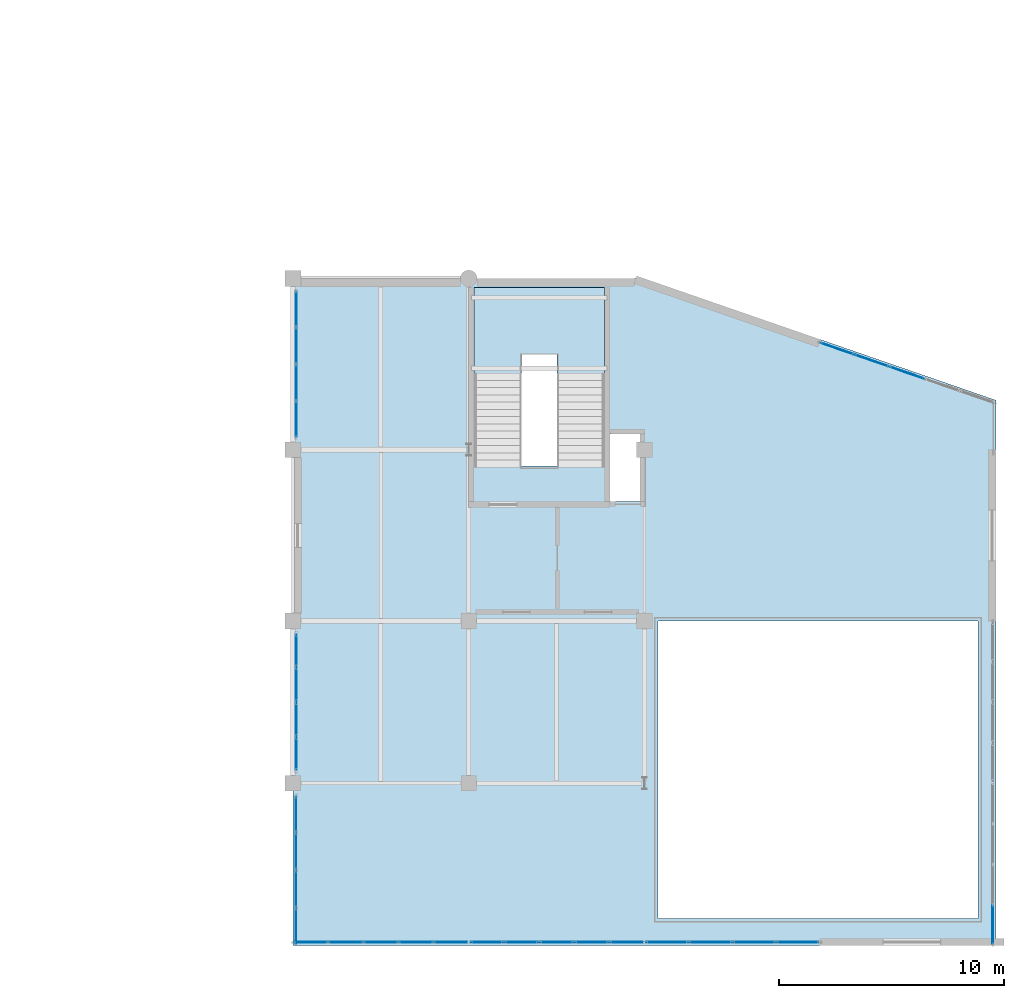
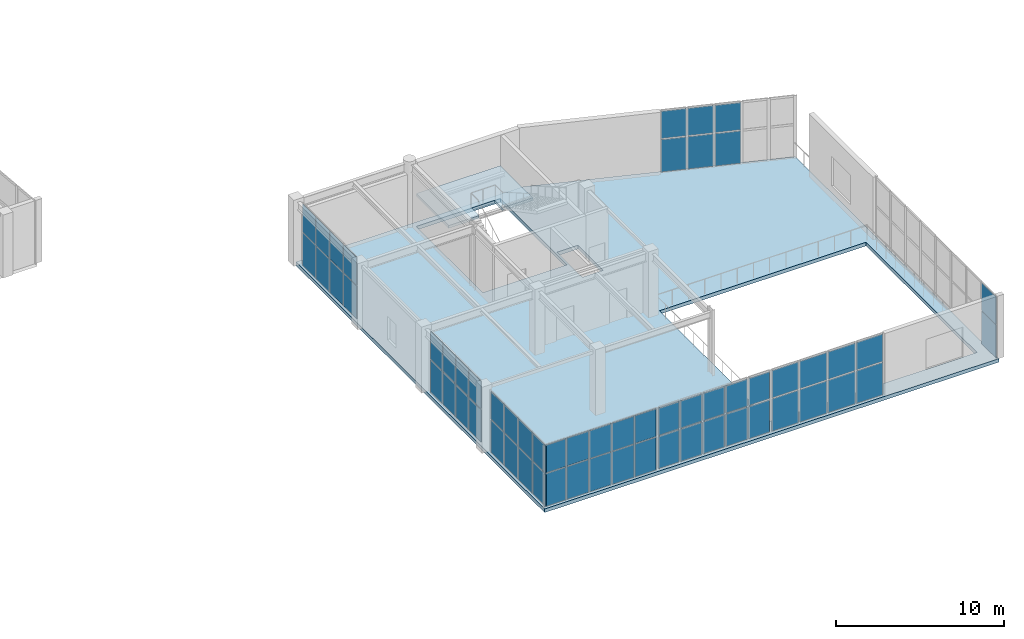
# One storey, part 54 of 72: 60 plates, 2 slabs, 9 elements without a shape of their own.
"""IFC4 building model written with IfcOpenShell, lengths in metres."""

from ifc_helpers import new_model, si_unit, direction, frame, origin, origin_2d, place, context, subcontext, project, spatial, polyline, rectangle, outline, extrude, material, layer, layer_set, type_object, element, aggregate, save


model = new_model("IFC4")

# Units and contexts
model_context = context("Model", 3, precision=1e-05, world=origin(), true_north=direction((0.0, 1.0)))
body_context = subcontext(model_context, "Body", "Model", "MODEL_VIEW")
ifc_project = project(units=[si_unit("LENGTHUNIT", "METRE"), si_unit("AREAUNIT", "SQUARE_METRE"), si_unit("VOLUMEUNIT", "CUBIC_METRE"), si_unit("PLANEANGLEUNIT", "RADIAN"), si_unit("MASSUNIT", "GRAM", prefix="KILO")], contexts=[model_context])

# Site, building, storey
site_placement = place(None, origin())
site = spatial("IfcSite", under=ifc_project, at=site_placement, CompositionType="ELEMENT")
building_placement = place(site_placement, origin())
building = spatial("IfcBuilding", under=site, at=building_placement, Name="Xicomal Pleat Aquarium", CompositionType="ELEMENT")
storey_placement = place(building_placement, frame((0.0, 0.0, 10.5)))
storey = spatial("IfcBuildingStorey", under=building, at=storey_placement, Name="L03", CompositionType="ELEMENT", Elevation=10.5)

# Curtain wall, plates
ifc_material_1 = material(Name="Bronze anodized aluminium 6063-T6", Category="aluminium")
ifc_layer_1 = layer(ifc_material_1, 0.159912109375)
ifc_layer_set_1 = layer_set([ifc_layer_1], Name="Bronze anodized aluminium 6063-T6")
curtain_wall_type_1 = type_object("IfcCurtainWallType", Name="CW-SYS-03", PredefinedType="NOTDEFINED", material=ifc_layer_set_1)
curtain_wall_1_placement = place(storey_placement, origin())
curtain_wall_1 = element("IfcCurtainWall", 1, at=curtain_wall_1_placement, inside=storey, type_object=curtain_wall_type_1, Name="L03 unitised curtain wall CW-L03-144", PredefinedType="NOTDEFINED")
ifc_material_2 = material(Name="Insulated low-E laminated glass", Category="glass")
ifc_layer_2 = layer(ifc_material_2, 0.028076171875)
ifc_layer_set_2 = layer_set([ifc_layer_2], Name="Insulated low-E laminated glass")
plate_type_1 = type_object("IfcPlateType", Name="CWP-GLZ-28", PredefinedType="CURTAIN_PANEL", material=ifc_layer_set_2)
plate_1_placement = place(storey_placement, frame((164.860107421875, 1.71630859375, 0.06494140625), z_axis=(0.0, 0.0, 1.0), x_axis=(0.0, -1.0, 0.0)))
plate_1 = element("IfcPlate", 2, at=plate_1_placement, type_object=plate_type_1, Name="CW-03 panel 4.1", PredefinedType="CURTAIN_PANEL", context=body_context, shape_type="SweptSolid", body=[
    extrude(rectangle(XDim=1.702392578125, YDim=0.028076171875, at=origin_2d()), origin(), (0.0, 0.0, 1.0), 2.364501953125),
])
plate_2_placement = place(storey_placement, frame((164.860107421875, 1.71630859375, 2.494384765625), z_axis=(0.0, 0.0, 1.0), x_axis=(0.0, -1.0, 0.0)))
plate_2 = element("IfcPlate", 3, at=plate_2_placement, type_object=plate_type_1, Name="CW-03 panel 4.2", PredefinedType="CURTAIN_PANEL", context=body_context, shape_type="SweptSolid", body=[
    extrude(rectangle(XDim=1.702392578125, YDim=0.028076171875, at=origin_2d()), origin(), (0.0, 0.0, 1.0), 2.00048828125),
])
aggregate(curtain_wall_1, [plate_1, plate_2])

ifc_material_3 = material(Name="Bronze anodized aluminium 6063-T6", Category="aluminium")
ifc_layer_3 = layer(ifc_material_3, 0.159912109375)
ifc_layer_set_3 = layer_set([ifc_layer_3], Name="Bronze anodized aluminium 6063-T6")
curtain_wall_type_2 = type_object("IfcCurtainWallType", Name="CW-SYS-08", PredefinedType="NOTDEFINED", material=ifc_layer_set_3)
curtain_wall_2_placement = place(storey_placement, origin())
curtain_wall_2 = element("IfcCurtainWall", 4, at=curtain_wall_2_placement, inside=storey, type_object=curtain_wall_type_2, Name="L03 unitised curtain wall CW-L03-148", PredefinedType="NOTDEFINED")
plate_3_placement = place(storey_placement, frame((133.93994140625, 1.65380859375, 0.074951171875), z_axis=(0.0, 0.0, 1.0), x_axis=(0.0, 1.0, 0.0)))
plate_3 = element("IfcPlate", 5, at=plate_3_placement, type_object=plate_type_1, Name="CW-08 panel 1.1", PredefinedType="CURTAIN_PANEL", context=body_context, shape_type="SweptSolid", body=[
    extrude(rectangle(XDim=1.5576171875, YDim=0.028076171875, at=origin_2d()), origin(), (0.0, 0.0, 1.0), 2.349609375),
])
plate_4_placement = place(storey_placement, frame((133.93994140625, 1.65380859375, 2.49951171875), z_axis=(0.0, 0.0, 1.0), x_axis=(0.0, 1.0, 0.0)))
plate_4 = element("IfcPlate", 6, at=plate_4_placement, type_object=plate_type_1, Name="CW-08 panel 1.2", PredefinedType="CURTAIN_PANEL", context=body_context, shape_type="SweptSolid", body=[
    extrude(rectangle(XDim=1.5576171875, YDim=0.028076171875, at=origin_2d()), origin(), (0.0, 0.0, 1.0), 1.985595703125),
])
plate_5_placement = place(storey_placement, frame((133.93994140625, 3.304931640625, 0.074951171875), z_axis=(0.0, 0.0, 1.0), x_axis=(0.0, 1.0, 0.0)))
plate_5 = element("IfcPlate", 7, at=plate_5_placement, type_object=plate_type_1, Name="CW-08 panel 2.1", PredefinedType="CURTAIN_PANEL", context=body_context, shape_type="SweptSolid", body=[
    extrude(rectangle(XDim=1.594970703125, YDim=0.028076171875, at=origin_2d()), origin(), (0.0, 0.0, 1.0), 2.349609375),
])
plate_6_placement = place(storey_placement, frame((133.93994140625, 3.304931640625, 2.49951171875), z_axis=(0.0, 0.0, 1.0), x_axis=(0.0, 1.0, 0.0)))
plate_6 = element("IfcPlate", 8, at=plate_6_placement, type_object=plate_type_1, Name="CW-08 panel 2.2", PredefinedType="CURTAIN_PANEL", context=body_context, shape_type="SweptSolid", body=[
    extrude(rectangle(XDim=1.594970703125, YDim=0.028076171875, at=origin_2d()), origin(), (0.0, 0.0, 1.0), 1.985595703125),
])
plate_7_placement = place(storey_placement, frame((133.93994140625, 4.97509765625, 0.074951171875), z_axis=(0.0, 0.0, 1.0), x_axis=(0.0, 1.0, 0.0)))
plate_7 = element("IfcPlate", 9, at=plate_7_placement, type_object=plate_type_1, Name="CW-08 panel 3.1", PredefinedType="CURTAIN_PANEL", context=body_context, shape_type="SweptSolid", body=[
    extrude(rectangle(XDim=1.594970703125, YDim=0.028076171875, at=origin_2d()), origin(), (0.0, 0.0, 1.0), 2.349609375),
])
plate_8_placement = place(storey_placement, frame((133.93994140625, 4.97509765625, 2.49951171875), z_axis=(0.0, 0.0, 1.0), x_axis=(0.0, 1.0, 0.0)))
plate_8 = element("IfcPlate", 10, at=plate_8_placement, type_object=plate_type_1, Name="CW-08 panel 3.2", PredefinedType="CURTAIN_PANEL", context=body_context, shape_type="SweptSolid", body=[
    extrude(rectangle(XDim=1.594970703125, YDim=0.028076171875, at=origin_2d()), origin(), (0.0, 0.0, 1.0), 1.985595703125),
])
plate_9_placement = place(storey_placement, frame((133.93994140625, 6.626220703125, 0.074951171875), z_axis=(0.0, 0.0, 1.0), x_axis=(0.0, 1.0, 0.0)))
plate_9 = element("IfcPlate", 11, at=plate_9_placement, type_object=plate_type_1, Name="CW-08 panel 4.1", PredefinedType="CURTAIN_PANEL", context=body_context, shape_type="SweptSolid", body=[
    extrude(rectangle(XDim=1.5576171875, YDim=0.028076171875, at=origin_2d()), origin(), (0.0, 0.0, 1.0), 2.349609375),
])
plate_10_placement = place(storey_placement, frame((133.93994140625, 6.626220703125, 2.49951171875), z_axis=(0.0, 0.0, 1.0), x_axis=(0.0, 1.0, 0.0)))
plate_10 = element("IfcPlate", 12, at=plate_10_placement, type_object=plate_type_1, Name="CW-08 panel 4.2", PredefinedType="CURTAIN_PANEL", context=body_context, shape_type="SweptSolid", body=[
    extrude(rectangle(XDim=1.5576171875, YDim=0.028076171875, at=origin_2d()), origin(), (0.0, 0.0, 1.0), 1.985595703125),
])
aggregate(curtain_wall_2, [plate_3, plate_4, plate_5, plate_6, plate_7, plate_8, plate_9, plate_10])

curtain_wall_3_placement = place(storey_placement, origin())
curtain_wall_3 = element("IfcCurtainWall", 13, at=curtain_wall_3_placement, inside=storey, type_object=curtain_wall_type_2, Name="L03 unitised curtain wall CW-L03-145", PredefinedType="NOTDEFINED")
ifc_material_4 = material(Name="Insulated low-E laminated glass", Category="glass")
ifc_layer_4 = layer(ifc_material_4, 0.031982421875)
ifc_layer_set_4 = layer_set([ifc_layer_4], Name="Insulated low-E laminated glass")
plate_type_2 = type_object("IfcPlateType", Name="CWP-GLZ-32", PredefinedType="CURTAIN_PANEL", material=ifc_layer_set_4)
plate_11_placement = place(storey_placement, frame((156.206298828125, 0.93994140625, 0.074951171875), z_axis=(0.0, 0.0, 1.0), x_axis=(-1.0, 0.0, 0.0)))
plate_11 = element("IfcPlate", 14, at=plate_11_placement, type_object=plate_type_2, Name="CW-08 panel 1.1", PredefinedType="CURTAIN_PANEL", context=body_context, shape_type="SweptSolid", body=[
    extrude(rectangle(XDim=1.83740234375, YDim=0.031982421875, at=origin_2d()), origin(), (0.0, 0.0, 1.0), 2.349609375),
])
plate_12_placement = place(storey_placement, frame((156.206298828125, 0.93994140625, 2.49951171875), z_axis=(0.0, 0.0, 1.0), x_axis=(-1.0, 0.0, 0.0)))
plate_12 = element("IfcPlate", 15, at=plate_12_placement, type_object=plate_type_2, Name="CW-08 panel 1.2", PredefinedType="CURTAIN_PANEL", context=body_context, shape_type="SweptSolid", body=[
    extrude(rectangle(XDim=1.83740234375, YDim=0.031982421875, at=origin_2d()), origin(), (0.0, 0.0, 1.0), 1.985595703125),
])
plate_13_placement = place(storey_placement, frame((154.27490234375, 0.93994140625, 0.074951171875), z_axis=(0.0, 0.0, 1.0), x_axis=(-1.0, 0.0, 0.0)))
plate_13 = element("IfcPlate", 16, at=plate_13_placement, type_object=plate_type_2, Name="CW-08 panel 2.1", PredefinedType="CURTAIN_PANEL", context=body_context, shape_type="SweptSolid", body=[
    extrude(rectangle(XDim=1.875, YDim=0.031982421875, at=origin_2d()), origin(), (0.0, 0.0, 1.0), 2.349609375),
])
plate_14_placement = place(storey_placement, frame((154.27490234375, 0.93994140625, 2.49951171875), z_axis=(0.0, 0.0, 1.0), x_axis=(-1.0, 0.0, 0.0)))
plate_14 = element("IfcPlate", 17, at=plate_14_placement, type_object=plate_type_2, Name="CW-08 panel 2.2", PredefinedType="CURTAIN_PANEL", context=body_context, shape_type="SweptSolid", body=[
    extrude(rectangle(XDim=1.875, YDim=0.031982421875, at=origin_2d()), origin(), (0.0, 0.0, 1.0), 1.985595703125),
])
plate_15_placement = place(storey_placement, frame((152.324951171875, 0.93994140625, 0.074951171875), z_axis=(0.0, 0.0, 1.0), x_axis=(-1.0, 0.0, 0.0)))
plate_15 = element("IfcPlate", 18, at=plate_15_placement, type_object=plate_type_2, Name="CW-08 panel 3.1", PredefinedType="CURTAIN_PANEL", context=body_context, shape_type="SweptSolid", body=[
    extrude(rectangle(XDim=1.875, YDim=0.031982421875, at=origin_2d()), origin(), (0.0, 0.0, 1.0), 2.349609375),
])
plate_16_placement = place(storey_placement, frame((152.324951171875, 0.93994140625, 2.49951171875), z_axis=(0.0, 0.0, 1.0), x_axis=(-1.0, 0.0, 0.0)))
plate_16 = element("IfcPlate", 19, at=plate_16_placement, type_object=plate_type_2, Name="CW-08 panel 3.2", PredefinedType="CURTAIN_PANEL", context=body_context, shape_type="SweptSolid", body=[
    extrude(rectangle(XDim=1.875, YDim=0.031982421875, at=origin_2d()), origin(), (0.0, 0.0, 1.0), 1.985595703125),
])
plate_17_placement = place(storey_placement, frame((150.393798828125, 0.93994140625, 0.074951171875), z_axis=(0.0, 0.0, 1.0), x_axis=(-1.0, 0.0, 0.0)))
plate_17 = element("IfcPlate", 20, at=plate_17_placement, type_object=plate_type_2, Name="CW-08 panel 4.1", PredefinedType="CURTAIN_PANEL", context=body_context, shape_type="SweptSolid", body=[
    extrude(rectangle(XDim=1.83740234375, YDim=0.031982421875, at=origin_2d()), origin(), (0.0, 0.0, 1.0), 2.349609375),
])
plate_18_placement = place(storey_placement, frame((150.393798828125, 0.93994140625, 2.49951171875), z_axis=(0.0, 0.0, 1.0), x_axis=(-1.0, 0.0, 0.0)))
plate_18 = element("IfcPlate", 21, at=plate_18_placement, type_object=plate_type_2, Name="CW-08 panel 4.2", PredefinedType="CURTAIN_PANEL", context=body_context, shape_type="SweptSolid", body=[
    extrude(rectangle(XDim=1.83740234375, YDim=0.031982421875, at=origin_2d()), origin(), (0.0, 0.0, 1.0), 1.985595703125),
])
aggregate(curtain_wall_3, [plate_11, plate_12, plate_13, plate_14, plate_15, plate_16, plate_17, plate_18])

curtain_wall_4_placement = place(storey_placement, origin())
curtain_wall_4 = element("IfcCurtainWall", 22, at=curtain_wall_4_placement, inside=storey, type_object=curtain_wall_type_1, Name="L03 unitised curtain wall CW-L03-149", PredefinedType="NOTDEFINED")
plate_19_placement = place(storey_placement, frame((133.93994140625, 9.311279296875, 0.0849609375), z_axis=(0.0, 0.0, 1.0), x_axis=(0.0, 1.0, 0.0)))
plate_19 = element("IfcPlate", 23, at=plate_19_placement, type_object=plate_type_2, Name="CW-03 panel 1.1", PredefinedType="CURTAIN_PANEL", context=body_context, shape_type="SweptSolid", body=[
    extrude(rectangle(XDim=1.41259765625, YDim=0.031982421875, at=origin_2d()), origin(), (0.0, 0.0, 1.0), 2.342529296875),
])
plate_20_placement = place(storey_placement, frame((133.93994140625, 9.311279296875, 2.512451171875), z_axis=(0.0, 0.0, 1.0), x_axis=(0.0, 1.0, 0.0)))
plate_20 = element("IfcPlate", 24, at=plate_20_placement, type_object=plate_type_2, Name="CW-03 panel 1.2", PredefinedType="CURTAIN_PANEL", context=body_context, shape_type="SweptSolid", body=[
    extrude(rectangle(XDim=1.41259765625, YDim=0.031982421875, at=origin_2d()), origin(), (0.0, 0.0, 1.0), 1.9775390625),
])
plate_21_placement = place(storey_placement, frame((133.93994140625, 10.830078125, 0.0849609375), z_axis=(0.0, 0.0, 1.0), x_axis=(0.0, 1.0, 0.0)))
plate_21 = element("IfcPlate", 25, at=plate_21_placement, type_object=plate_type_2, Name="CW-03 panel 2.1", PredefinedType="CURTAIN_PANEL", context=body_context, shape_type="SweptSolid", body=[
    extrude(rectangle(XDim=1.455078125, YDim=0.031982421875, at=origin_2d()), origin(), (0.0, 0.0, 1.0), 2.342529296875),
])
plate_22_placement = place(storey_placement, frame((133.93994140625, 10.830078125, 2.512451171875), z_axis=(0.0, 0.0, 1.0), x_axis=(0.0, 1.0, 0.0)))
plate_22 = element("IfcPlate", 26, at=plate_22_placement, type_object=plate_type_2, Name="CW-03 panel 2.2", PredefinedType="CURTAIN_PANEL", context=body_context, shape_type="SweptSolid", body=[
    extrude(rectangle(XDim=1.455078125, YDim=0.031982421875, at=origin_2d()), origin(), (0.0, 0.0, 1.0), 1.9775390625),
])
plate_23_placement = place(storey_placement, frame((133.93994140625, 12.3701171875, 0.0849609375), z_axis=(0.0, 0.0, 1.0), x_axis=(0.0, 1.0, 0.0)))
plate_23 = element("IfcPlate", 27, at=plate_23_placement, type_object=plate_type_2, Name="CW-03 panel 3.1", PredefinedType="CURTAIN_PANEL", context=body_context, shape_type="SweptSolid", body=[
    extrude(rectangle(XDim=1.455078125, YDim=0.031982421875, at=origin_2d()), origin(), (0.0, 0.0, 1.0), 2.342529296875),
])
plate_24_placement = place(storey_placement, frame((133.93994140625, 12.3701171875, 2.512451171875), z_axis=(0.0, 0.0, 1.0), x_axis=(0.0, 1.0, 0.0)))
plate_24 = element("IfcPlate", 28, at=plate_24_placement, type_object=plate_type_2, Name="CW-03 panel 3.2", PredefinedType="CURTAIN_PANEL", context=body_context, shape_type="SweptSolid", body=[
    extrude(rectangle(XDim=1.455078125, YDim=0.031982421875, at=origin_2d()), origin(), (0.0, 0.0, 1.0), 1.9775390625),
])
plate_25_placement = place(storey_placement, frame((133.93994140625, 13.888671875, 0.0849609375), z_axis=(0.0, 0.0, 1.0), x_axis=(0.0, 1.0, 0.0)))
plate_25 = element("IfcPlate", 29, at=plate_25_placement, type_object=plate_type_2, Name="CW-03 panel 4.1", PredefinedType="CURTAIN_PANEL", context=body_context, shape_type="SweptSolid", body=[
    extrude(rectangle(XDim=1.41259765625, YDim=0.031982421875, at=origin_2d()), origin(), (0.0, 0.0, 1.0), 2.342529296875),
])
plate_26_placement = place(storey_placement, frame((133.93994140625, 13.888671875, 2.512451171875), z_axis=(0.0, 0.0, 1.0), x_axis=(0.0, 1.0, 0.0)))
plate_26 = element("IfcPlate", 30, at=plate_26_placement, type_object=plate_type_2, Name="CW-03 panel 4.2", PredefinedType="CURTAIN_PANEL", context=body_context, shape_type="SweptSolid", body=[
    extrude(rectangle(XDim=1.41259765625, YDim=0.031982421875, at=origin_2d()), origin(), (0.0, 0.0, 1.0), 1.9775390625),
])
aggregate(curtain_wall_4, [plate_19, plate_20, plate_21, plate_22, plate_23, plate_24, plate_25, plate_26])

curtain_wall_5_placement = place(storey_placement, origin())
curtain_wall_5 = element("IfcCurtainWall", 31, at=curtain_wall_5_placement, inside=storey, type_object=curtain_wall_type_2, Name="L03 unitised curtain wall CW-L03-142", PredefinedType="NOTDEFINED")
ifc_material_5 = material(Name="Insulated low-E laminated glass", Category="glass")
ifc_layer_5 = layer(ifc_material_5, 0.035888671875)
ifc_layer_set_5 = layer_set([ifc_layer_5], Name="Insulated low-E laminated glass")
plate_type_3 = type_object("IfcPlateType", Name="CWP-GLZ-36", PredefinedType="CURTAIN_PANEL", material=ifc_layer_set_5)
plate_27_placement = place(storey_placement, frame((157.95166015625, 27.2919921875, 0.074951171875), z_axis=(0.0, 0.0, 1.0), x_axis=(0.944986073443, -0.327110563875, 0.0)))
plate_27 = element("IfcPlate", 32, at=plate_27_placement, type_object=plate_type_3, Name="CW-08 panel 1.1", PredefinedType="CURTAIN_PANEL", context=body_context, shape_type="SweptSolid", body=[
    extrude(rectangle(XDim=1.538330078125, YDim=0.035888671875, at=origin_2d()), origin(), (0.0, 0.0, 1.0), 2.349609375),
])
plate_28_placement = place(storey_placement, frame((157.95166015625, 27.2919921875, 2.49951171875), z_axis=(0.0, 0.0, 1.0), x_axis=(0.944986073443, -0.327110563875, 0.0)))
plate_28 = element("IfcPlate", 33, at=plate_28_placement, type_object=plate_type_3, Name="CW-08 panel 1.2", PredefinedType="CURTAIN_PANEL", context=body_context, shape_type="SweptSolid", body=[
    extrude(rectangle(XDim=1.538330078125, YDim=0.035888671875, at=origin_2d()), origin(), (0.0, 0.0, 1.0), 1.985595703125),
])
plate_29_placement = place(storey_placement, frame((159.493896484375, 26.758056640625, 0.074951171875), z_axis=(0.0, 0.0, 1.0), x_axis=(0.944986073443, -0.327110563875, 0.0)))
plate_29 = element("IfcPlate", 34, at=plate_29_placement, type_object=plate_type_3, Name="CW-08 panel 2.1", PredefinedType="CURTAIN_PANEL", context=body_context, shape_type="SweptSolid", body=[
    extrude(rectangle(XDim=1.57568359375, YDim=0.035888671875, at=origin_2d()), origin(), (0.0, 0.0, 1.0), 2.349609375),
])
plate_30_placement = place(storey_placement, frame((159.493896484375, 26.758056640625, 2.49951171875), z_axis=(0.0, 0.0, 1.0), x_axis=(0.944986073443, -0.327110563875, 0.0)))
plate_30 = element("IfcPlate", 35, at=plate_30_placement, type_object=plate_type_3, Name="CW-08 panel 2.2", PredefinedType="CURTAIN_PANEL", context=body_context, shape_type="SweptSolid", body=[
    extrude(rectangle(XDim=1.57568359375, YDim=0.035888671875, at=origin_2d()), origin(), (0.0, 0.0, 1.0), 1.985595703125),
])
plate_31_placement = place(storey_placement, frame((161.053955078125, 26.218017578125, 0.074951171875), z_axis=(0.0, 0.0, 1.0), x_axis=(0.944986073443, -0.327110563875, 0.0)))
plate_31 = element("IfcPlate", 36, at=plate_31_placement, type_object=plate_type_3, Name="CW-08 panel 3.1", PredefinedType="CURTAIN_PANEL", context=body_context, shape_type="SweptSolid", body=[
    extrude(rectangle(XDim=1.57568359375, YDim=0.035888671875, at=origin_2d()), origin(), (0.0, 0.0, 1.0), 2.349609375),
])
plate_32_placement = place(storey_placement, frame((161.053955078125, 26.218017578125, 2.49951171875), z_axis=(0.0, 0.0, 1.0), x_axis=(0.944986073443, -0.327110563875, 0.0)))
plate_32 = element("IfcPlate", 37, at=plate_32_placement, type_object=plate_type_3, Name="CW-08 panel 3.2", PredefinedType="CURTAIN_PANEL", context=body_context, shape_type="SweptSolid", body=[
    extrude(rectangle(XDim=1.57568359375, YDim=0.035888671875, at=origin_2d()), origin(), (0.0, 0.0, 1.0), 1.985595703125),
])
aggregate(curtain_wall_5, [plate_27, plate_28, plate_29, plate_30, plate_31, plate_32])

curtain_wall_6_placement = place(storey_placement, origin())
curtain_wall_6 = element("IfcCurtainWall", 38, at=curtain_wall_6_placement, inside=storey, type_object=curtain_wall_type_1, Name="L03 unitised curtain wall CW-L03-146", PredefinedType="NOTDEFINED")
plate_33_placement = place(storey_placement, frame((148.5986328125, 0.93994140625, 0.0849609375), z_axis=(0.0, 0.0, 1.0), x_axis=(-1.0, 0.0, 0.0)))
plate_33 = element("IfcPlate", 39, at=plate_33_placement, type_object=plate_type_3, Name="CW-03 panel 1.1", PredefinedType="CURTAIN_PANEL", context=body_context, shape_type="SweptSolid", body=[
    extrude(rectangle(XDim=1.4326171875, YDim=0.035888671875, at=origin_2d()), origin(), (0.0, 0.0, 1.0), 2.33447265625),
])
plate_34_placement = place(storey_placement, frame((148.5986328125, 0.93994140625, 2.50439453125), z_axis=(0.0, 0.0, 1.0), x_axis=(-1.0, 0.0, 0.0)))
plate_34 = element("IfcPlate", 40, at=plate_34_placement, type_object=plate_type_3, Name="CW-03 panel 1.2", PredefinedType="CURTAIN_PANEL", context=body_context, shape_type="SweptSolid", body=[
    extrude(rectangle(XDim=1.4326171875, YDim=0.035888671875, at=origin_2d()), origin(), (0.0, 0.0, 1.0), 1.970458984375),
])
plate_35_placement = place(storey_placement, frame((147.06005859375, 0.93994140625, 0.0849609375), z_axis=(0.0, 0.0, 1.0), x_axis=(-1.0, 0.0, 0.0)))
plate_35 = element("IfcPlate", 41, at=plate_35_placement, type_object=plate_type_3, Name="CW-03 panel 2.1", PredefinedType="CURTAIN_PANEL", context=body_context, shape_type="SweptSolid", body=[
    extrude(rectangle(XDim=1.47509765625, YDim=0.035888671875, at=origin_2d()), origin(), (0.0, 0.0, 1.0), 2.33447265625),
])
plate_36_placement = place(storey_placement, frame((147.06005859375, 0.93994140625, 2.50439453125), z_axis=(0.0, 0.0, 1.0), x_axis=(-1.0, 0.0, 0.0)))
plate_36 = element("IfcPlate", 42, at=plate_36_placement, type_object=plate_type_3, Name="CW-03 panel 2.2", PredefinedType="CURTAIN_PANEL", context=body_context, shape_type="SweptSolid", body=[
    extrude(rectangle(XDim=1.47509765625, YDim=0.035888671875, at=origin_2d()), origin(), (0.0, 0.0, 1.0), 1.970458984375),
])
plate_37_placement = place(storey_placement, frame((145.5, 0.93994140625, 0.0849609375), z_axis=(0.0, 0.0, 1.0), x_axis=(-1.0, 0.0, 0.0)))
plate_37 = element("IfcPlate", 43, at=plate_37_placement, type_object=plate_type_3, Name="CW-03 panel 3.1", PredefinedType="CURTAIN_PANEL", context=body_context, shape_type="SweptSolid", body=[
    extrude(rectangle(XDim=1.47509765625, YDim=0.035888671875, at=origin_2d()), origin(), (0.0, 0.0, 1.0), 2.33447265625),
])
plate_38_placement = place(storey_placement, frame((145.5, 0.93994140625, 2.50439453125), z_axis=(0.0, 0.0, 1.0), x_axis=(-1.0, 0.0, 0.0)))
plate_38 = element("IfcPlate", 44, at=plate_38_placement, type_object=plate_type_3, Name="CW-03 panel 3.2", PredefinedType="CURTAIN_PANEL", context=body_context, shape_type="SweptSolid", body=[
    extrude(rectangle(XDim=1.47509765625, YDim=0.035888671875, at=origin_2d()), origin(), (0.0, 0.0, 1.0), 1.970458984375),
])
plate_39_placement = place(storey_placement, frame((143.93994140625, 0.93994140625, 0.0849609375), z_axis=(0.0, 0.0, 1.0), x_axis=(-1.0, 0.0, 0.0)))
plate_39 = element("IfcPlate", 45, at=plate_39_placement, type_object=plate_type_3, Name="CW-03 panel 4.1", PredefinedType="CURTAIN_PANEL", context=body_context, shape_type="SweptSolid", body=[
    extrude(rectangle(XDim=1.47509765625, YDim=0.035888671875, at=origin_2d()), origin(), (0.0, 0.0, 1.0), 2.33447265625),
])
plate_40_placement = place(storey_placement, frame((143.93994140625, 0.93994140625, 2.50439453125), z_axis=(0.0, 0.0, 1.0), x_axis=(-1.0, 0.0, 0.0)))
plate_40 = element("IfcPlate", 46, at=plate_40_placement, type_object=plate_type_3, Name="CW-03 panel 4.2", PredefinedType="CURTAIN_PANEL", context=body_context, shape_type="SweptSolid", body=[
    extrude(rectangle(XDim=1.47509765625, YDim=0.035888671875, at=origin_2d()), origin(), (0.0, 0.0, 1.0), 1.970458984375),
])
plate_41_placement = place(storey_placement, frame((142.4013671875, 0.93994140625, 0.0849609375), z_axis=(0.0, 0.0, 1.0), x_axis=(-1.0, 0.0, 0.0)))
plate_41 = element("IfcPlate", 47, at=plate_41_placement, type_object=plate_type_3, Name="CW-03 panel 5.1", PredefinedType="CURTAIN_PANEL", context=body_context, shape_type="SweptSolid", body=[
    extrude(rectangle(XDim=1.4326171875, YDim=0.035888671875, at=origin_2d()), origin(), (0.0, 0.0, 1.0), 2.33447265625),
])
plate_42_placement = place(storey_placement, frame((142.4013671875, 0.93994140625, 2.50439453125), z_axis=(0.0, 0.0, 1.0), x_axis=(-1.0, 0.0, 0.0)))
plate_42 = element("IfcPlate", 48, at=plate_42_placement, type_object=plate_type_3, Name="CW-03 panel 5.2", PredefinedType="CURTAIN_PANEL", context=body_context, shape_type="SweptSolid", body=[
    extrude(rectangle(XDim=1.4326171875, YDim=0.035888671875, at=origin_2d()), origin(), (0.0, 0.0, 1.0), 1.970458984375),
])
aggregate(curtain_wall_6, [plate_33, plate_34, plate_35, plate_36, plate_37, plate_38, plate_39, plate_40, plate_41, plate_42])

curtain_wall_7_placement = place(storey_placement, origin())
curtain_wall_7 = element("IfcCurtainWall", 49, at=curtain_wall_7_placement, inside=storey, type_object=curtain_wall_type_1, Name="L03 unitised curtain wall CW-L03-150", PredefinedType="NOTDEFINED")
plate_43_placement = place(storey_placement, frame((133.93994140625, 24.15625, 0.06494140625), z_axis=(0.0, 0.0, 1.0), x_axis=(0.0, 1.0, 0.0)))
plate_43 = element("IfcPlate", 50, at=plate_43_placement, type_object=plate_type_3, Name="CW-03 panel 1.1", PredefinedType="CURTAIN_PANEL", context=body_context, shape_type="SweptSolid", body=[
    extrude(rectangle(XDim=1.54248046875, YDim=0.035888671875, at=origin_2d()), origin(), (0.0, 0.0, 1.0), 2.37255859375),
])
plate_44_placement = place(storey_placement, frame((133.93994140625, 24.15625, 2.50244140625), z_axis=(0.0, 0.0, 1.0), x_axis=(0.0, 1.0, 0.0)))
plate_44 = element("IfcPlate", 51, at=plate_44_placement, type_object=plate_type_3, Name="CW-03 panel 1.2", PredefinedType="CURTAIN_PANEL", context=body_context, shape_type="SweptSolid", body=[
    extrude(rectangle(XDim=1.54248046875, YDim=0.035888671875, at=origin_2d()), origin(), (0.0, 0.0, 1.0), 2.007568359375),
])
plate_45_placement = place(storey_placement, frame((133.93994140625, 25.780029296875, 0.06494140625), z_axis=(0.0, 0.0, 1.0), x_axis=(0.0, 1.0, 0.0)))
plate_45 = element("IfcPlate", 52, at=plate_45_placement, type_object=plate_type_3, Name="CW-03 panel 2.1", PredefinedType="CURTAIN_PANEL", context=body_context, shape_type="SweptSolid", body=[
    extrude(rectangle(XDim=1.574951171875, YDim=0.035888671875, at=origin_2d()), origin(), (0.0, 0.0, 1.0), 2.37255859375),
])
plate_46_placement = place(storey_placement, frame((133.93994140625, 25.780029296875, 2.50244140625), z_axis=(0.0, 0.0, 1.0), x_axis=(0.0, 1.0, 0.0)))
plate_46 = element("IfcPlate", 53, at=plate_46_placement, type_object=plate_type_3, Name="CW-03 panel 2.2", PredefinedType="CURTAIN_PANEL", context=body_context, shape_type="SweptSolid", body=[
    extrude(rectangle(XDim=1.574951171875, YDim=0.035888671875, at=origin_2d()), origin(), (0.0, 0.0, 1.0), 2.007568359375),
])
plate_47_placement = place(storey_placement, frame((133.93994140625, 27.419921875, 0.06494140625), z_axis=(0.0, 0.0, 1.0), x_axis=(0.0, 1.0, 0.0)))
plate_47 = element("IfcPlate", 54, at=plate_47_placement, type_object=plate_type_3, Name="CW-03 panel 3.1", PredefinedType="CURTAIN_PANEL", context=body_context, shape_type="SweptSolid", body=[
    extrude(rectangle(XDim=1.574951171875, YDim=0.035888671875, at=origin_2d()), origin(), (0.0, 0.0, 1.0), 2.37255859375),
])
plate_48_placement = place(storey_placement, frame((133.93994140625, 27.419921875, 2.50244140625), z_axis=(0.0, 0.0, 1.0), x_axis=(0.0, 1.0, 0.0)))
plate_48 = element("IfcPlate", 55, at=plate_48_placement, type_object=plate_type_3, Name="CW-03 panel 3.2", PredefinedType="CURTAIN_PANEL", context=body_context, shape_type="SweptSolid", body=[
    extrude(rectangle(XDim=1.574951171875, YDim=0.035888671875, at=origin_2d()), origin(), (0.0, 0.0, 1.0), 2.007568359375),
])
plate_49_placement = place(storey_placement, frame((133.93994140625, 29.043701171875, 0.06494140625), z_axis=(0.0, 0.0, 1.0), x_axis=(0.0, 1.0, 0.0)))
plate_49 = element("IfcPlate", 56, at=plate_49_placement, type_object=plate_type_3, Name="CW-03 panel 4.1", PredefinedType="CURTAIN_PANEL", context=body_context, shape_type="SweptSolid", body=[
    extrude(rectangle(XDim=1.54248046875, YDim=0.035888671875, at=origin_2d()), origin(), (0.0, 0.0, 1.0), 2.37255859375),
])
plate_50_placement = place(storey_placement, frame((133.93994140625, 29.043701171875, 2.50244140625), z_axis=(0.0, 0.0, 1.0), x_axis=(0.0, 1.0, 0.0)))
plate_50 = element("IfcPlate", 57, at=plate_50_placement, type_object=plate_type_3, Name="CW-03 panel 4.2", PredefinedType="CURTAIN_PANEL", context=body_context, shape_type="SweptSolid", body=[
    extrude(rectangle(XDim=1.54248046875, YDim=0.035888671875, at=origin_2d()), origin(), (0.0, 0.0, 1.0), 2.007568359375),
])
aggregate(curtain_wall_7, [plate_43, plate_44, plate_45, plate_46, plate_47, plate_48, plate_49, plate_50])

curtain_wall_8_placement = place(storey_placement, origin())
curtain_wall_8 = element("IfcCurtainWall", 58, at=curtain_wall_8_placement, inside=storey, type_object=curtain_wall_type_1, Name="L03 unitised curtain wall CW-L03-147", PredefinedType="NOTDEFINED")
ifc_material_6 = material(Name="Insulated low-E laminated glass", Category="glass")
ifc_layer_6 = layer(ifc_material_6, 0.0419921875)
ifc_layer_set_6 = layer_set([ifc_layer_6], Name="Insulated low-E laminated glass")
plate_type_4 = type_object("IfcPlateType", Name="CWP-GLZ-42", PredefinedType="CURTAIN_PANEL", material=ifc_layer_set_6)
plate_51_placement = place(storey_placement, frame((140.8037109375, 0.93994140625, 0.06494140625), z_axis=(0.0, 0.0, 1.0), x_axis=(-1.0, 0.0, 0.0)))
plate_51 = element("IfcPlate", 59, at=plate_51_placement, type_object=plate_type_4, Name="CW-03 panel 1.1", PredefinedType="CURTAIN_PANEL", context=body_context, shape_type="SweptSolid", body=[
    extrude(rectangle(XDim=1.46240234375, YDim=0.0419921875, at=origin_2d()), origin(), (0.0, 0.0, 1.0), 2.364501953125),
])
plate_52_placement = place(storey_placement, frame((140.8037109375, 0.93994140625, 2.494384765625), z_axis=(0.0, 0.0, 1.0), x_axis=(-1.0, 0.0, 0.0)))
plate_52 = element("IfcPlate", 60, at=plate_52_placement, type_object=plate_type_4, Name="CW-03 panel 1.2", PredefinedType="CURTAIN_PANEL", context=body_context, shape_type="SweptSolid", body=[
    extrude(rectangle(XDim=1.46240234375, YDim=0.0419921875, at=origin_2d()), origin(), (0.0, 0.0, 1.0), 2.00048828125),
])
plate_53_placement = place(storey_placement, frame((139.260009765625, 0.93994140625, 0.06494140625), z_axis=(0.0, 0.0, 1.0), x_axis=(-1.0, 0.0, 0.0)))
plate_53 = element("IfcPlate", 61, at=plate_53_placement, type_object=plate_type_4, Name="CW-03 panel 2.1", PredefinedType="CURTAIN_PANEL", context=body_context, shape_type="SweptSolid", body=[
    extrude(rectangle(XDim=1.4951171875, YDim=0.0419921875, at=origin_2d()), origin(), (0.0, 0.0, 1.0), 2.364501953125),
])
plate_54_placement = place(storey_placement, frame((139.260009765625, 0.93994140625, 2.494384765625), z_axis=(0.0, 0.0, 1.0), x_axis=(-1.0, 0.0, 0.0)))
plate_54 = element("IfcPlate", 62, at=plate_54_placement, type_object=plate_type_4, Name="CW-03 panel 2.2", PredefinedType="CURTAIN_PANEL", context=body_context, shape_type="SweptSolid", body=[
    extrude(rectangle(XDim=1.4951171875, YDim=0.0419921875, at=origin_2d()), origin(), (0.0, 0.0, 1.0), 2.00048828125),
])
plate_55_placement = place(storey_placement, frame((137.699951171875, 0.93994140625, 0.06494140625), z_axis=(0.0, 0.0, 1.0), x_axis=(-1.0, 0.0, 0.0)))
plate_55 = element("IfcPlate", 63, at=plate_55_placement, type_object=plate_type_4, Name="CW-03 panel 3.1", PredefinedType="CURTAIN_PANEL", context=body_context, shape_type="SweptSolid", body=[
    extrude(rectangle(XDim=1.4951171875, YDim=0.0419921875, at=origin_2d()), origin(), (0.0, 0.0, 1.0), 2.364501953125),
])
plate_56_placement = place(storey_placement, frame((137.699951171875, 0.93994140625, 2.494384765625), z_axis=(0.0, 0.0, 1.0), x_axis=(-1.0, 0.0, 0.0)))
plate_56 = element("IfcPlate", 64, at=plate_56_placement, type_object=plate_type_4, Name="CW-03 panel 3.2", PredefinedType="CURTAIN_PANEL", context=body_context, shape_type="SweptSolid", body=[
    extrude(rectangle(XDim=1.4951171875, YDim=0.0419921875, at=origin_2d()), origin(), (0.0, 0.0, 1.0), 2.00048828125),
])
plate_57_placement = place(storey_placement, frame((136.139892578125, 0.93994140625, 0.06494140625), z_axis=(0.0, 0.0, 1.0), x_axis=(-1.0, 0.0, 0.0)))
plate_57 = element("IfcPlate", 65, at=plate_57_placement, type_object=plate_type_4, Name="CW-03 panel 4.1", PredefinedType="CURTAIN_PANEL", context=body_context, shape_type="SweptSolid", body=[
    extrude(rectangle(XDim=1.4951171875, YDim=0.0419921875, at=origin_2d()), origin(), (0.0, 0.0, 1.0), 2.364501953125),
])
plate_58_placement = place(storey_placement, frame((136.139892578125, 0.93994140625, 2.494384765625), z_axis=(0.0, 0.0, 1.0), x_axis=(-1.0, 0.0, 0.0)))
plate_58 = element("IfcPlate", 66, at=plate_58_placement, type_object=plate_type_4, Name="CW-03 panel 4.2", PredefinedType="CURTAIN_PANEL", context=body_context, shape_type="SweptSolid", body=[
    extrude(rectangle(XDim=1.4951171875, YDim=0.0419921875, at=origin_2d()), origin(), (0.0, 0.0, 1.0), 2.00048828125),
])
plate_59_placement = place(storey_placement, frame((134.59619140625, 0.93994140625, 0.06494140625), z_axis=(0.0, 0.0, 1.0), x_axis=(-1.0, 0.0, 0.0)))
plate_59 = element("IfcPlate", 67, at=plate_59_placement, type_object=plate_type_4, Name="CW-03 panel 5.1", PredefinedType="CURTAIN_PANEL", context=body_context, shape_type="SweptSolid", body=[
    extrude(rectangle(XDim=1.46240234375, YDim=0.0419921875, at=origin_2d()), origin(), (0.0, 0.0, 1.0), 2.364501953125),
])
plate_60_placement = place(storey_placement, frame((134.59619140625, 0.93994140625, 2.494384765625), z_axis=(0.0, 0.0, 1.0), x_axis=(-1.0, 0.0, 0.0)))
plate_60 = element("IfcPlate", 68, at=plate_60_placement, type_object=plate_type_4, Name="CW-03 panel 5.2", PredefinedType="CURTAIN_PANEL", context=body_context, shape_type="SweptSolid", body=[
    extrude(rectangle(XDim=1.46240234375, YDim=0.0419921875, at=origin_2d()), origin(), (0.0, 0.0, 1.0), 2.00048828125),
])
aggregate(curtain_wall_8, [plate_51, plate_52, plate_53, plate_54, plate_55, plate_56, plate_57, plate_58, plate_59, plate_60])

# Slab
ifc_material_7 = material(Name="Concrete C40/50", Category="concrete")
ifc_layer_7 = layer(ifc_material_7, 0.260009765625)
ifc_layer_set_7 = layer_set([ifc_layer_7], Name="Concrete C40/50")
slab_type_1 = type_object("IfcSlabType", Name="SLB-FLR-260", PredefinedType="FLOOR", material=ifc_layer_set_7)
slab_1_placement = place(storey_placement, frame((0.0, 0.0, -0.260009765625)))
element("IfcSlab", 69, at=slab_1_placement, inside=storey, type_object=slab_type_1, Name="L03 structural slab V3", PredefinedType="FLOOR", context=body_context, shape_type="SweptSolid", body=[
    extrude(outline(polyline([(133.800048828125, 30.39990234375), (149.39990234375, 30.39990234375), (165.0, 25.0), (165.0, 0.800048828125), (133.800048828125, 0.800048828125), (133.800048828125, 30.39990234375)]), holes=[polyline([(150.0, 2.0), (164.199951171875, 2.0), (164.199951171875, 15.199951171875), (150.0, 15.199951171875), (150.0, 2.0)]), polyline([(141.840087890625, 22.080078125), (147.6201171875, 22.080078125), (147.6201171875, 30.0), (141.840087890625, 30.0), (141.840087890625, 22.080078125)]), polyline([(147.760009765625, 20.5), (149.199951171875, 20.5), (149.199951171875, 23.5), (147.760009765625, 23.5), (147.760009765625, 20.5)])]), origin(), (0.0, 0.0, 1.0), 0.260009765625),
])

# Stair, slab
ifc_material_8 = material(Name="Concrete C35/45", Category="concrete")
stair_type = type_object("IfcStairType", Name="STR-HT-4800-2400", PredefinedType="HALF_TURN_STAIR", material=ifc_material_8)
stair_placement = place(storey_placement, origin())
stair = element("IfcStair", 70, at=stair_placement, inside=storey, type_object=stair_type, Name="ST-08 fire exit stair L03 to L04", PredefinedType="HALF_TURN_STAIR")
ifc_material_9 = material(Name="Concrete C35/45", Category="concrete")
ifc_layer_8 = layer(ifc_material_9, 0.195068359375)
ifc_layer_set_8 = layer_set([ifc_layer_8], Name="Concrete C35/45")
slab_type_2 = type_object("IfcSlabType", Name="SLB-LND-195", PredefinedType="LANDING", material=ifc_layer_set_8)
slab_2_placement = place(storey_placement, frame((0.0, 0.0, 2.205078125)))
slab_2 = element("IfcSlab", 71, at=slab_2_placement, type_object=slab_type_2, Name="ST-08 landing 1", PredefinedType="LANDING", context=body_context, shape_type="SweptSolid", body=[
    extrude(outline(polyline([(141.840087890625, 30.0), (147.6201171875, 30.0), (147.6201171875, 26.14599609375), (145.52001953125, 26.14599609375), (145.52001953125, 27.055908203125), (143.93994140625, 27.055908203125), (143.93994140625, 26.14599609375), (141.840087890625, 26.14599609375), (141.840087890625, 30.0)])), origin(), (0.0, 0.0, 1.0), 0.19482421875),
])
aggregate(stair, [slab_2])

save(model, "model.ifc")
